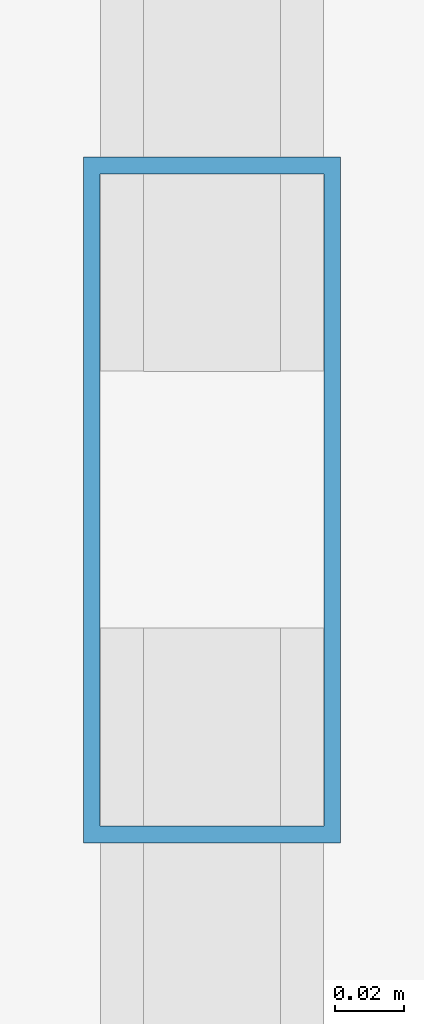
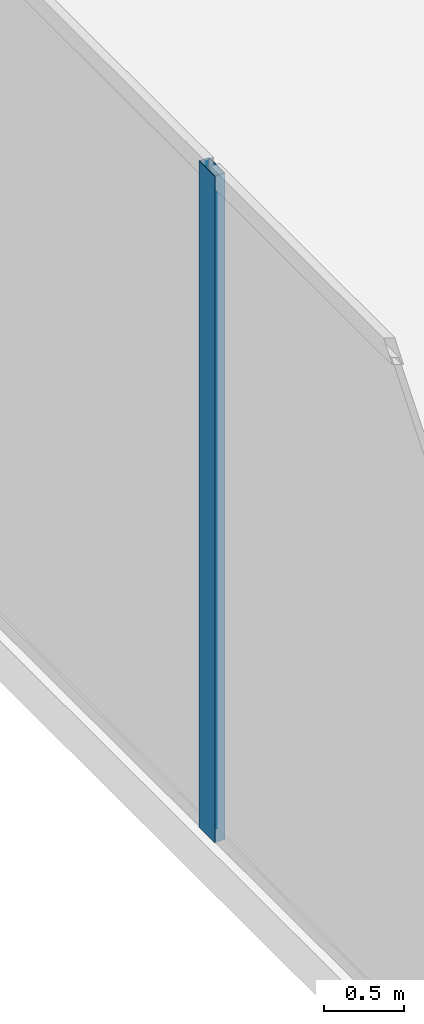
# One storey, part 8 of 34: 1 member, 1 element without a shape of its own.
"""IFC4 building model written with IfcOpenShell, lengths in metres."""

from ifc_helpers import new_model, si_unit, direction, frame, origin, origin_2d, place, context, subcontext, project, spatial, hollow_rectangle, extrude, source, transform, mapped, material, layer, layer_set, material_profile, profile_set, type_object, type_shapes, element, aggregate, save


model = new_model("IFC4")

# Units and contexts
model_context = context("Model", 3, precision=1e-05, world=origin(), true_north=direction((0.0, 1.0)))
body_context = subcontext(model_context, "Body", "Model", "MODEL_VIEW")
ifc_project = project(units=[si_unit("LENGTHUNIT", "METRE"), si_unit("AREAUNIT", "SQUARE_METRE"), si_unit("VOLUMEUNIT", "CUBIC_METRE"), si_unit("PLANEANGLEUNIT", "RADIAN"), si_unit("MASSUNIT", "GRAM", prefix="KILO")], contexts=[model_context])

# Site, building, storey
site_placement = place(None, origin())
site = spatial("IfcSite", under=ifc_project, at=site_placement, CompositionType="ELEMENT")
building_placement = place(site_placement, origin())
building = spatial("IfcBuilding", under=site, at=building_placement, Name="Haelvirn Gate Laboratories", CompositionType="ELEMENT")
storey_placement = place(building_placement, frame((0.0, 0.0, 191.199951171875)))
storey = spatial("IfcBuildingStorey", under=building, at=storey_placement, Name="L46", CompositionType="ELEMENT", Elevation=191.199951171875)

# Curtain wall, member
ifc_material_1 = material(Name="Anodised bronze unitised aluminium & triple low-E glass", Category="aluminium")
ifc_layer = layer(ifc_material_1, 0.179931640625, Name="CW-SYS-3")
ifc_layer_set = layer_set([ifc_layer], Name="Anodised bronze unitised aluminium & triple low-E glass")
curtain_wall_type = type_object("IfcCurtainWallType", Name="CW-SYS-3", PredefinedType="NOTDEFINED", material=ifc_layer_set)
curtain_wall_placement = place(storey_placement, origin())
curtain_wall = element("IfcCurtainWall", 1, at=curtain_wall_placement, inside=storey, type_object=curtain_wall_type, Name="L46 Unitised Curtain Wall CW-L46-P0-E17", PredefinedType="NOTDEFINED")
ifc_material_2 = material(Name="Extruded aluminium 6063-T6 (anodised bronze)", Category="aluminium")
ifc_material_profile = material_profile(ifc_material_2, hollow_rectangle(XDim=0.074951171875, YDim=0.199951171875, WallThickness=0.0048828125, at=origin_2d()), Name="CWM-200x75x5")
ifc_profile_set = profile_set([ifc_material_profile], Name="Extruded aluminium 6063-T6 (anodised bronze)")
member_type = type_object("IfcMemberType", Name="CWM-T200", PredefinedType="MULLION", material=ifc_profile_set)
shared_shape = source(origin(), body_context, "Body", "SweptSolid", [
    extrude(hollow_rectangle(XDim=0.074951171875, YDim=0.199951171875, WallThickness=0.0048828125, at=origin_2d()), origin(), (0.0, 0.0, 1.0), 5.10009765625),
])
type_shapes(member_type, [shared_shape])
member_placement = place(storey_placement, frame((2.10009765625, 30.966552734375, 0.0), z_axis=(0.0, 0.0, 1.0), x_axis=(1.0, 0.0, 0.0)))
member = element("IfcMember", 2, at=member_placement, type_object=member_type, Name="CW3 mullion 2", PredefinedType="MULLION", context=body_context, shape_type="MappedRepresentation", body=[
    mapped(shared_shape, transform((0.0, 0.0, 0.0), scale=1.0)),
])
aggregate(curtain_wall, [member])

save(model, "model.ifc")
